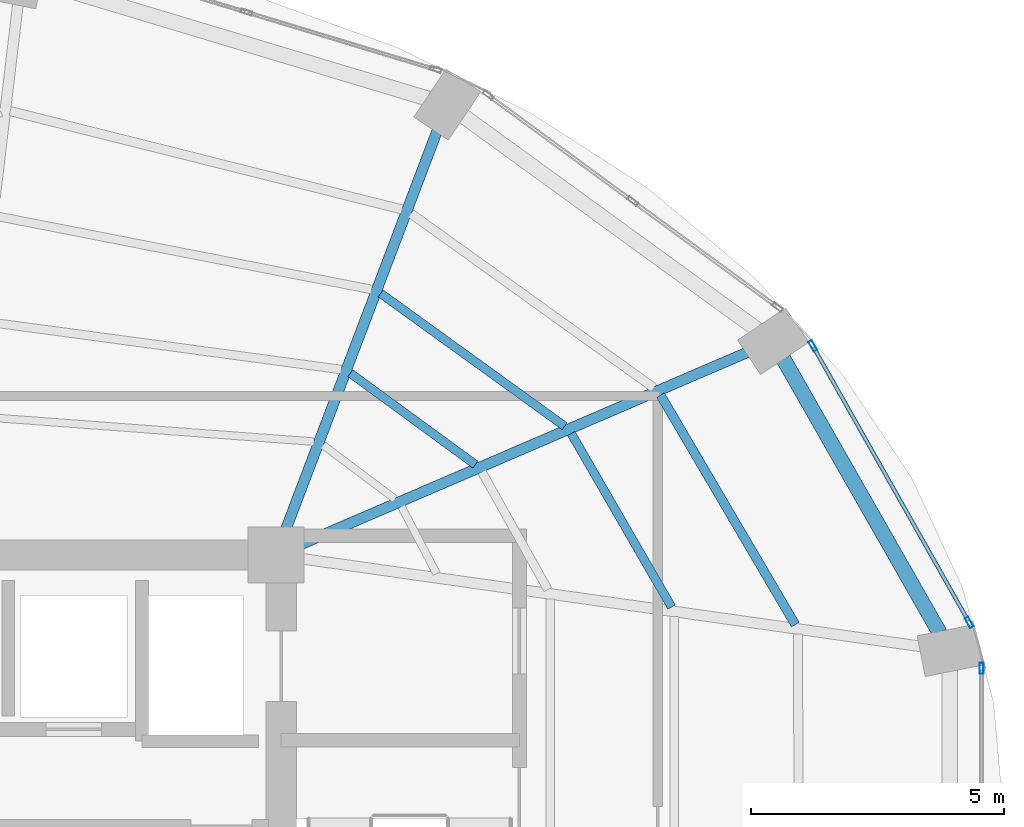
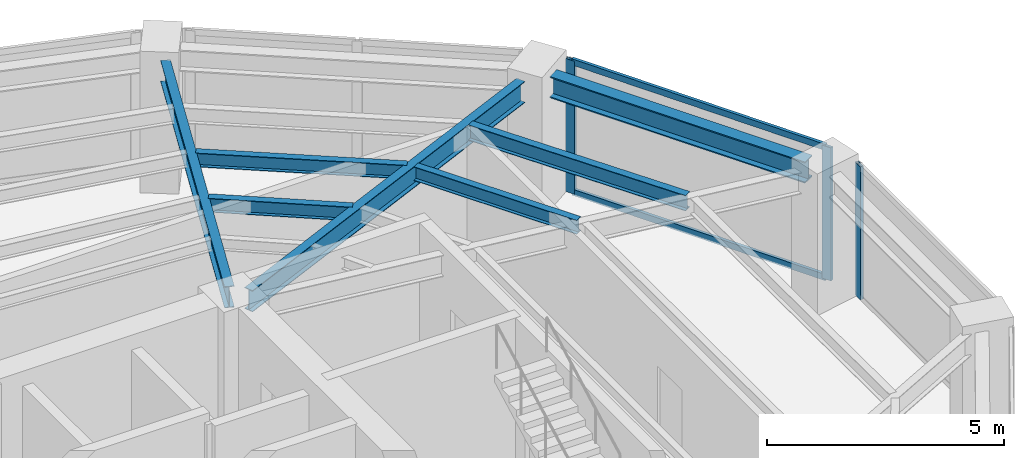
# One storey, part 11 of 20: 7 beams, 5 members, 2 elements without a shape of their own.
"""IFC4 building model written with IfcOpenShell, lengths in metres."""

from ifc_helpers import new_model, si_unit, direction, frame, origin, origin_2d, place, context, subcontext, project, spatial, hollow_rectangle, i_section, extrude, material, layer, layer_set, material_profile, profile_set, type_object, element, aggregate, save


model = new_model("IFC4")

# Units and contexts
model_context = context("Model", 3, precision=1e-05, world=origin(), true_north=direction((0.0, 1.0)))
body_context = subcontext(model_context, "Body", "Model", "MODEL_VIEW")
ifc_project = project(units=[si_unit("LENGTHUNIT", "METRE"), si_unit("AREAUNIT", "SQUARE_METRE"), si_unit("VOLUMEUNIT", "CUBIC_METRE"), si_unit("PLANEANGLEUNIT", "RADIAN"), si_unit("MASSUNIT", "GRAM", prefix="KILO")], contexts=[model_context])

# Site, building, storey
site_placement = place(None, origin())
site = spatial("IfcSite", under=ifc_project, at=site_placement, CompositionType="ELEMENT")
building_placement = place(site_placement, origin())
building = spatial("IfcBuilding", under=site, at=building_placement, Name="Lazwardi Medical Tower", CompositionType="ELEMENT")
storey_placement = place(building_placement, frame((0.0, 0.0, 174.76806640625)))
storey = spatial("IfcBuildingStorey", under=building, at=storey_placement, Name="L45", CompositionType="ELEMENT", Elevation=174.76806640625)

# Beams
ifc_material_1 = material(Name="Steel S355", Category="steel")
ifc_material_profile_1 = material_profile(ifc_material_1, i_section(OverallWidth=0.300048828125, OverallDepth=0.550048828125, WebThickness=0.014892578125, FlangeThickness=0.029052734375, at=origin_2d()), Name="HEB 550")
ifc_profile_set_1 = profile_set([ifc_material_profile_1], Name="Steel S355")
beam_type_1 = type_object("IfcBeamType", Name="BM-RB-Z3", PredefinedType="BEAM", material=ifc_profile_set_1)
beam_1_placement = place(storey_placement, frame((58.727783203125, 34.05908203125, 3.15283203125), z_axis=(-0.495460926326, 0.868630226554, 0.0), x_axis=(-0.868630226554, -0.495460926326, 0.0)))
element("IfcBeam", 1, at=beam_1_placement, inside=storey, type_object=beam_type_1, Name="Ring beam RB-04 B05 L45", PredefinedType="BEAM", context=body_context, shape_type="SweptSolid", body=[
    extrude(i_section(OverallWidth=0.300048828125, OverallDepth=0.550048828125, WebThickness=0.014892578125, FlangeThickness=0.029052734375, at=origin_2d()), origin(), (0.0, 0.0, 1.0), 6.24462890625),
])
ifc_material_profile_2 = material_profile(ifc_material_1, i_section(OverallWidth=0.2099609375, OverallDepth=0.550048828125, WebThickness=0.010986328125, FlangeThickness=0.01708984375, at=origin_2d()), Name="IPE 550")
ifc_profile_set_2 = profile_set([ifc_material_profile_2], Name="Steel S355")
beam_type_2 = type_object("IfcBeamType", Name="BM-RG-W2", PredefinedType="BEAM", material=ifc_profile_set_2)
beam_2_placement = place(storey_placement, frame((54.921142578125, 39.609619140625, 3.15283203125), z_axis=(-0.918608156288, -0.395169653695, 0.0), x_axis=(0.395169653695, -0.918608156288, 0.0)))
element("IfcBeam", 2, at=beam_2_placement, inside=storey, type_object=beam_type_2, Name="Radial girder RG-03 R06 L45", PredefinedType="BEAM", context=body_context, shape_type="SweptSolid", body=[
    extrude(i_section(OverallWidth=0.2099609375, OverallDepth=0.550048828125, WebThickness=0.010986328125, FlangeThickness=0.01708984375, at=origin_2d()), origin(), (0.0, 0.0, 1.0), 9.61181640625),
])
beam_3_placement = place(storey_placement, frame((48.78759765625, 43.99072265625, 3.15283203125), z_axis=(-0.355126771712, -0.934818151307, 0.0), x_axis=(0.934818151307, -0.355126771712, 0.0)))
element("IfcBeam", 3, at=beam_3_placement, inside=storey, type_object=beam_type_2, Name="Radial girder RG-03 R07 L45", PredefinedType="BEAM", context=body_context, shape_type="SweptSolid", body=[
    extrude(i_section(OverallWidth=0.2099609375, OverallDepth=0.550048828125, WebThickness=0.010986328125, FlangeThickness=0.01708984375, at=origin_2d()), origin(), (0.0, 0.0, 1.0), 8.44091796875),
])
ifc_material_profile_3 = material_profile(ifc_material_1, i_section(OverallWidth=0.179931640625, OverallDepth=0.39990234375, WebThickness=0.008544921875, FlangeThickness=0.013427734375, at=origin_2d()), Name="IPE 400")
ifc_profile_set_3 = profile_set([ifc_material_profile_3], Name="Steel S355")
beam_type_3 = type_object("IfcBeamType", Name="BM-SJ-01", PredefinedType="JOIST", material=ifc_profile_set_3)
beam_4_placement = place(storey_placement, frame((55.872314453125, 34.223388671875, 3.22802734375), z_axis=(-0.506420212881, 0.862286824662, 0.0), x_axis=(-0.862286824662, -0.506420212881, 0.0)))
element("IfcBeam", 4, at=beam_4_placement, inside=storey, type_object=beam_type_3, Name="Secondary joist SJ-01 R1 B05 L45", PredefinedType="JOIST", context=body_context, shape_type="SweptSolid", body=[
    extrude(i_section(OverallWidth=0.179931640625, OverallDepth=0.39990234375, WebThickness=0.008544921875, FlangeThickness=0.013427734375, at=origin_2d()), origin(), (0.0, 0.0, 1.0), 5.265380859375),
])
ifc_material_profile_4 = material_profile(ifc_material_1, i_section(OverallWidth=0.169921875, OverallDepth=0.360107421875, WebThickness=0.008056640625, FlangeThickness=0.0126953125, at=origin_2d()), Name="IPE 360")
ifc_profile_set_4 = profile_set([ifc_material_profile_4], Name="Steel S355")
beam_type_4 = type_object("IfcBeamType", Name="BM-SJ-02", PredefinedType="JOIST", material=ifc_profile_set_4)
beam_5_placement = place(storey_placement, frame((53.4248046875, 34.57080078125, 3.248046875), z_axis=(-0.500640648605, 0.865655209055, 0.0), x_axis=(-0.865655209055, -0.500640648605, 0.0)))
element("IfcBeam", 5, at=beam_5_placement, inside=storey, type_object=beam_type_4, Name="Secondary joist SJ-02 R2 B05 L45", PredefinedType="JOIST", context=body_context, shape_type="SweptSolid", body=[
    extrude(i_section(OverallWidth=0.169921875, OverallDepth=0.360107421875, WebThickness=0.008056640625, FlangeThickness=0.0126953125, at=origin_2d()), origin(), (0.0, 0.0, 1.0), 3.965576171875),
])
beam_6_placement = place(storey_placement, frame((51.30810546875, 38.148681640625, 3.248046875), z_axis=(-0.810738039179, 0.585409114917, 0.0), x_axis=(-0.585409114917, -0.810738039179, 0.0)))
element("IfcBeam", 6, at=beam_6_placement, inside=storey, type_object=beam_type_4, Name="Secondary joist SJ-02 R2 B06 L45", PredefinedType="JOIST", context=body_context, shape_type="SweptSolid", body=[
    extrude(i_section(OverallWidth=0.169921875, OverallDepth=0.360107421875, WebThickness=0.008056640625, FlangeThickness=0.0126953125, at=origin_2d()), origin(), (0.0, 0.0, 1.0), 4.48779296875),
])
beam_7_placement = place(storey_placement, frame((49.54248046875, 37.3896484375, 3.248046875), z_axis=(-0.807285959008, 0.590160470033, 0.0), x_axis=(-0.590160470033, -0.807285959008, 0.0)))
element("IfcBeam", 7, at=beam_7_placement, inside=storey, type_object=beam_type_4, Name="Secondary joist SJ-02 R3 B06 L45", PredefinedType="JOIST", context=body_context, shape_type="SweptSolid", body=[
    extrude(i_section(OverallWidth=0.169921875, OverallDepth=0.360107421875, WebThickness=0.008056640625, FlangeThickness=0.0126953125, at=origin_2d()), origin(), (0.0, 0.0, 1.0), 3.06298828125),
])

# Curtain wall, member
ifc_material_2 = material(Name="Anodised bronze aluminium and solar control glazing", Category="aluminium")
ifc_layer = layer(ifc_material_2, 0.195068359375)
ifc_layer_set = layer_set([ifc_layer], Name="Anodised bronze aluminium and solar control glazing")
curtain_wall_type = type_object("IfcCurtainWallType", Name="CW-SYS-03", PredefinedType="NOTDEFINED", material=ifc_layer_set)
curtain_wall_1_placement = place(storey_placement, origin())
curtain_wall_1 = element("IfcCurtainWall", 8, at=curtain_wall_1_placement, inside=storey, type_object=curtain_wall_type, Name="L45 Unitised bronze curtain wall CW-03", PredefinedType="NOTDEFINED")
ifc_material_3 = material(Name="Anodised bronze aluminium", Category="aluminium")
ifc_material_profile_5 = material_profile(ifc_material_3, hollow_rectangle(XDim=0.074951171875, YDim=0.219970703125, WallThickness=0.00390625, at=origin_2d()), Name="ALU-MULLION 220x75x4")
ifc_profile_set_5 = profile_set([ifc_material_profile_5], Name="Anodised bronze aluminium")
member_type_1 = type_object("IfcMemberType", Name="CW-MUL-01", PredefinedType="MULLION", material=ifc_profile_set_5)
member_1_placement = place(storey_placement, frame((59.5576171875, 33.35791015625, 0.0), z_axis=(0.0, 0.0, 1.0), x_axis=(-1.0, 0.0, 0.0)))
member_1 = element("IfcMember", 9, at=member_1_placement, type_object=member_type_1, Name="CW-03 mullion 2", PredefinedType="MULLION", context=body_context, shape_type="SweptSolid", body=[
    extrude(hollow_rectangle(XDim=0.074951171875, YDim=0.219970703125, WallThickness=0.00390625, at=origin_2d()), origin(), (0.0, 0.0, 1.0), 3.427978515625),
])
aggregate(curtain_wall_1, [member_1])

# Curtain wall, members
curtain_wall_2_placement = place(storey_placement, origin())
curtain_wall_2 = element("IfcCurtainWall", 10, at=curtain_wall_2_placement, inside=storey, type_object=curtain_wall_type, Name="L45 Unitised bronze curtain wall CW-03", PredefinedType="NOTDEFINED")
member_2_placement = place(storey_placement, frame((59.31103515625, 34.267333984375, 0.0), z_axis=(0.0, 0.0, 1.0), x_axis=(-0.870418989303, -0.492311672683, 0.0)))
member_2 = element("IfcMember", 11, at=member_2_placement, type_object=member_type_1, Name="CW-03 mullion 1", PredefinedType="MULLION", context=body_context, shape_type="SweptSolid", body=[
    extrude(hollow_rectangle(XDim=0.074951171875, YDim=0.219970703125, WallThickness=0.00390625, at=origin_2d()), origin(), (0.0, 0.0, 1.0), 3.427978515625),
])
member_3_placement = place(storey_placement, frame((56.217529296875, 39.73681640625, 0.0), z_axis=(0.0, 0.0, 1.0), x_axis=(-0.870418989303, -0.492311672683, 0.0)))
member_3 = element("IfcMember", 12, at=member_3_placement, type_object=member_type_1, Name="CW-03 mullion 2", PredefinedType="MULLION", context=body_context, shape_type="SweptSolid", body=[
    extrude(hollow_rectangle(XDim=0.074951171875, YDim=0.219970703125, WallThickness=0.00390625, at=origin_2d()), origin(), (0.0, 0.0, 1.0), 3.427978515625),
])
ifc_material_profile_6 = material_profile(ifc_material_3, hollow_rectangle(XDim=0.074951171875, YDim=0.159912109375, WallThickness=0.00390625, at=origin_2d()), Name="ALU-TRANSOM 160x75x4")
ifc_profile_set_6 = profile_set([ifc_material_profile_6], Name="Anodised bronze aluminium")
member_type_2 = type_object("IfcMemberType", Name="CW-TRN-01", PredefinedType="USERDEFINED", material=ifc_profile_set_6)
member_4_placement = place(storey_placement, frame((59.292724609375, 34.2998046875, 0.037353515625), z_axis=(-0.492306010269, 0.870422191958, 0.0), x_axis=(-0.870422191958, -0.492306010269, 0.0)))
member_4 = element("IfcMember", 13, at=member_4_placement, type_object=member_type_2, Name="CW-03 transom 1.1", ObjectType="TRANSOM", PredefinedType="USERDEFINED", context=body_context, shape_type="SweptSolid", body=[
    extrude(hollow_rectangle(XDim=0.074951171875, YDim=0.159912109375, WallThickness=0.00390625, at=origin_2d()), origin(), (0.0, 0.0, 1.0), 6.208740234375),
])
member_5_placement = place(storey_placement, frame((59.292724609375, 34.2998046875, 3.390380859375), z_axis=(-0.492306010269, 0.870422191958, 0.0), x_axis=(-0.870422191958, -0.492306010269, 0.0)))
member_5 = element("IfcMember", 14, at=member_5_placement, type_object=member_type_2, Name="CW-03 transom 1.2", ObjectType="TRANSOM", PredefinedType="USERDEFINED", context=body_context, shape_type="SweptSolid", body=[
    extrude(hollow_rectangle(XDim=0.074951171875, YDim=0.159912109375, WallThickness=0.00390625, at=origin_2d()), origin(), (0.0, 0.0, 1.0), 6.208740234375),
])
aggregate(curtain_wall_2, [member_2, member_3, member_4, member_5])

save(model, "model.ifc")
